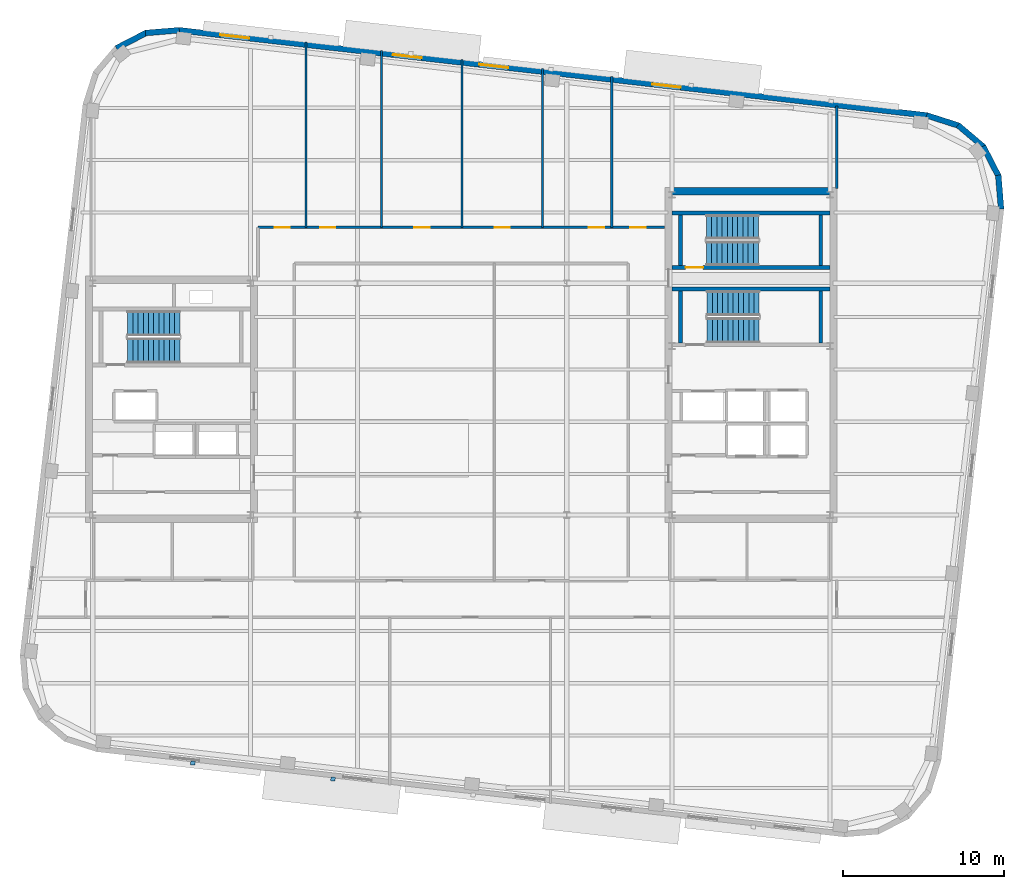
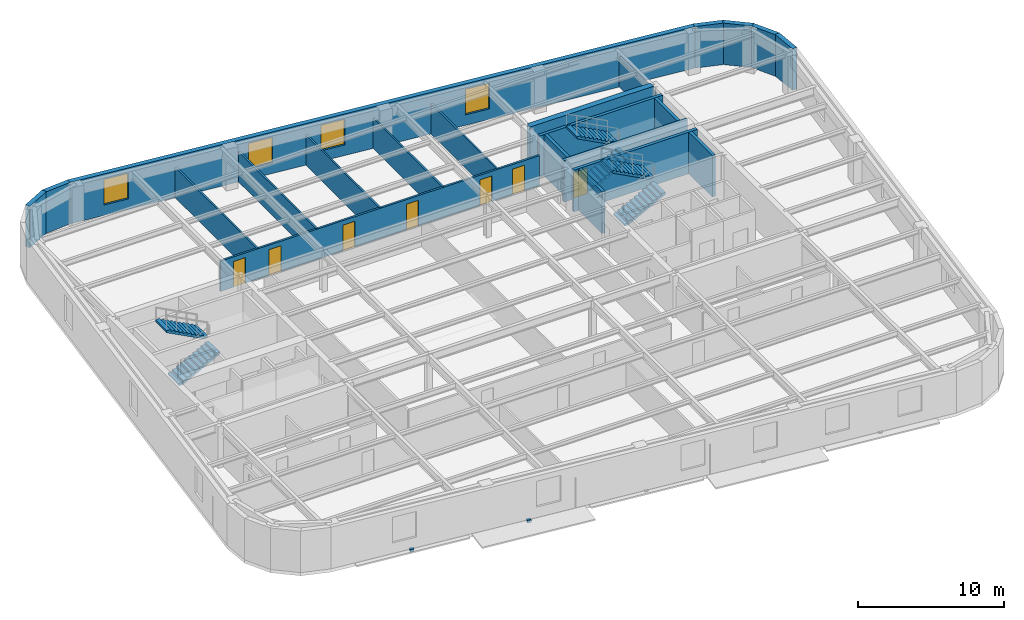
# One storey, part 8 of 13: 22 walls, 7 doors, 6 stair flights, 4 windows, 2 discrete accessories, 11 openings, 3 elements without a shape of their own.
"""IFC4 building model written with IfcOpenShell, lengths in metres."""

from ifc_helpers import new_model, si_unit, direction, frame, frame_2d, origin, origin_2d, place, context, subcontext, project, spatial, polyline, rectangle, outline, extrude, material, layer, layer_set, type_object, element, fill, aggregate, save


model = new_model("IFC4")

# Units and contexts
model_context = context("Model", 3, precision=1e-05, world=origin(), true_north=direction((0.0, 1.0)))
body_context = subcontext(model_context, "Body", "Model", "MODEL_VIEW")
ifc_project = project(units=[si_unit("LENGTHUNIT", "METRE"), si_unit("AREAUNIT", "SQUARE_METRE"), si_unit("VOLUMEUNIT", "CUBIC_METRE"), si_unit("PLANEANGLEUNIT", "RADIAN"), si_unit("MASSUNIT", "GRAM", prefix="KILO")], contexts=[model_context])

# Site, building, storey
site_placement = place(None, origin())
site = spatial("IfcSite", under=ifc_project, at=site_placement, CompositionType="ELEMENT")
building_placement = place(site_placement, origin())
building = spatial("IfcBuilding", under=site, at=building_placement, Name="Kolvaren Arena Tower", CompositionType="ELEMENT")
storey_placement = place(building_placement, frame((0.0, 0.0, 239.699951171875)))
storey = spatial("IfcBuildingStorey", under=building, at=storey_placement, Name="L58", CompositionType="ELEMENT", Elevation=239.699951171875)

# Wall, openings, doors
ifc_material_1 = material(Name="Gypsum board acoustic assembly", Category="gypsum")
ifc_layer_1 = layer(ifc_material_1, 0.159912109375)
ifc_layer_set_1 = layer_set([ifc_layer_1], Name="Gypsum board acoustic assembly")
wall_type_1 = type_object("IfcWallType", Name="CORR-160", PredefinedType="PARTITIONING", material=ifc_layer_set_1)
wall_1_placement = place(storey_placement, frame((24.820068359375, 37.320068359375, 0.0), z_axis=(0.0, 0.0, 1.0), x_axis=(1.0, 0.0, 0.0)))
wall_1 = element("IfcWall", 1, at=wall_1_placement, inside=storey, type_object=wall_type_1, Name="Interior Partition Wall (L58)", PredefinedType="PARTITIONING", context=body_context, shape_type="SweptSolid", body=[
    extrude(rectangle(XDim=25.260009765625, YDim=0.159912109375, at=frame_2d((12.6298828125, 0.0))), origin(), (0.0, 0.0, 1.0), 2.5400390625),
])
opening_1_placement = place(wall_1_placement, frame((1.030029296875, 0.0, 0.0)))
opening_1 = element("IfcOpeningElement", 2, at=opening_1_placement, cuts=wall_1, Name="Opening D05", PredefinedType="OPENING", context=body_context, shape_type="SweptSolid", body=[
    extrude(rectangle(XDim=0.949951171875, YDim=2.14990234375, at=frame_2d((0.47509765625, 1.074951171875))), frame((0.0, 0.08984375, 0.0), z_axis=(0.0, -1.0, 0.0), x_axis=(1.0, 0.0, 0.0)), (0.0, 0.0, 1.0), 0.179931640625),
])
opening_2_placement = place(wall_1_placement, frame((3.85498046875, 0.0, 0.0)))
opening_2 = element("IfcOpeningElement", 3, at=opening_2_placement, cuts=wall_1, Name="Opening D05", PredefinedType="OPENING", context=body_context, shape_type="SweptSolid", body=[
    extrude(rectangle(XDim=0.949951171875, YDim=2.14990234375, at=frame_2d((0.47509765625, 1.074951171875))), frame((0.0, 0.08984375, 0.0), z_axis=(0.0, -1.0, 0.0), x_axis=(1.0, 0.0, 0.0)), (0.0, 0.0, 1.0), 0.179931640625),
])
opening_3_placement = place(wall_1_placement, frame((9.705078125, 0.0, 0.0)))
opening_3 = element("IfcOpeningElement", 4, at=opening_3_placement, cuts=wall_1, Name="Opening D05", PredefinedType="OPENING", context=body_context, shape_type="SweptSolid", body=[
    extrude(rectangle(XDim=0.949951171875, YDim=2.14990234375, at=frame_2d((0.47509765625, 1.074951171875))), frame((0.0, 0.08984375, 0.0), z_axis=(0.0, -1.0, 0.0), x_axis=(1.0, 0.0, 0.0)), (0.0, 0.0, 1.0), 0.179931640625),
])
opening_4_placement = place(wall_1_placement, frame((14.705078125, 0.0, 0.0)))
opening_4 = element("IfcOpeningElement", 5, at=opening_4_placement, cuts=wall_1, Name="Opening D05", PredefinedType="OPENING", context=body_context, shape_type="SweptSolid", body=[
    extrude(rectangle(XDim=0.949951171875, YDim=2.14990234375, at=frame_2d((0.47509765625, 1.074951171875))), frame((0.0, 0.08984375, 0.0), z_axis=(0.0, -1.0, 0.0), x_axis=(1.0, 0.0, 0.0)), (0.0, 0.0, 1.0), 0.179931640625),
])
opening_5_placement = place(wall_1_placement, frame((20.554931640625, 0.0, 0.0)))
opening_5 = element("IfcOpeningElement", 6, at=opening_5_placement, cuts=wall_1, Name="Opening D05", PredefinedType="OPENING", context=body_context, shape_type="SweptSolid", body=[
    extrude(rectangle(XDim=0.949951171875, YDim=2.14990234375, at=frame_2d((0.47509765625, 1.074951171875))), frame((0.0, 0.08984375, 0.0), z_axis=(0.0, -1.0, 0.0), x_axis=(1.0, 0.0, 0.0)), (0.0, 0.0, 1.0), 0.179931640625),
])
opening_6_placement = place(wall_1_placement, frame((23.1298828125, 0.0, 0.0)))
opening_6 = element("IfcOpeningElement", 7, at=opening_6_placement, cuts=wall_1, Name="Opening D05", PredefinedType="OPENING", context=body_context, shape_type="SweptSolid", body=[
    extrude(rectangle(XDim=0.949951171875, YDim=2.14990234375, at=frame_2d((0.47509765625, 1.074951171875))), frame((0.0, 0.08984375, 0.0), z_axis=(0.0, -1.0, 0.0), x_axis=(1.0, 0.0, 0.0)), (0.0, 0.0, 1.0), 0.179931640625),
])
ifc_material_2 = material(Name="Solid-core oak acoustic office door", Category="wood")
door_type_1 = type_object("IfcDoorType", Name="DOOR-OF-095", OperationType="NOTDEFINED", PredefinedType="DOOR", material=ifc_material_2)
door_1_placement = place(opening_1_placement, origin())
door_1 = element("IfcDoor", 8, at=door_1_placement, inside=storey, type_object=door_type_1, Name="Technical Engineering Office Door (L58)", OperationType="SINGLE_SWING_LEFT", OverallHeight=2.14990234375, OverallWidth=0.949951171875, PredefinedType="DOOR", context=body_context, shape_type="SweptSolid", body=[
    extrude(rectangle(XDim=0.949951171875, YDim=2.14990234375, at=frame_2d((0.47509765625, 1.074951171875))), frame((0.0, 0.02490234375, 0.0), z_axis=(0.0, -1.0, 0.0), x_axis=(1.0, 0.0, 0.0)), (0.0, 0.0, 1.0), 0.050048828125),
])
fill(opening_1, door_1)
door_2_placement = place(opening_2_placement, origin())
door_2 = element("IfcDoor", 9, at=door_2_placement, inside=storey, type_object=door_type_1, Name="Boardroom Door (L58)", OperationType="SINGLE_SWING_RIGHT", OverallHeight=2.14990234375, OverallWidth=0.949951171875, PredefinedType="DOOR", context=body_context, shape_type="SweptSolid", body=[
    extrude(rectangle(XDim=0.949951171875, YDim=2.14990234375, at=frame_2d((0.47509765625, 1.074951171875))), frame((0.0, 0.02490234375, 0.0), z_axis=(0.0, -1.0, 0.0), x_axis=(1.0, 0.0, 0.0)), (0.0, 0.0, 1.0), 0.050048828125),
])
fill(opening_2, door_2)
door_3_placement = place(opening_3_placement, origin())
door_3 = element("IfcDoor", 10, at=door_3_placement, inside=storey, type_object=door_type_1, Name="Breakout Pantry and Kitchen Door (L58)", OperationType="SINGLE_SWING_LEFT", OverallHeight=2.14990234375, OverallWidth=0.949951171875, PredefinedType="DOOR", context=body_context, shape_type="SweptSolid", body=[
    extrude(rectangle(XDim=0.949951171875, YDim=2.14990234375, at=frame_2d((0.47509765625, 1.074951171875))), frame((0.0, 0.02490234375, 0.0), z_axis=(0.0, -1.0, 0.0), x_axis=(1.0, 0.0, 0.0)), (0.0, 0.0, 1.0), 0.050048828125),
])
fill(opening_3, door_3)
door_4_placement = place(opening_4_placement, origin())
door_4 = element("IfcDoor", 11, at=door_4_placement, inside=storey, type_object=door_type_1, Name="Executive Office Door (L58)", OperationType="SINGLE_SWING_RIGHT", OverallHeight=2.14990234375, OverallWidth=0.949951171875, PredefinedType="DOOR", context=body_context, shape_type="SweptSolid", body=[
    extrude(rectangle(XDim=0.949951171875, YDim=2.14990234375, at=frame_2d((0.47509765625, 1.074951171875))), frame((0.0, 0.02490234375, 0.0), z_axis=(0.0, -1.0, 0.0), x_axis=(1.0, 0.0, 0.0)), (0.0, 0.0, 1.0), 0.050048828125),
])
fill(opening_4, door_4)
door_5_placement = place(opening_5_placement, origin())
door_5 = element("IfcDoor", 12, at=door_5_placement, inside=storey, type_object=door_type_1, Name="Client Lounge Door (L58)", OperationType="SINGLE_SWING_LEFT", OverallHeight=2.14990234375, OverallWidth=0.949951171875, PredefinedType="DOOR", context=body_context, shape_type="SweptSolid", body=[
    extrude(rectangle(XDim=0.949951171875, YDim=2.14990234375, at=frame_2d((0.47509765625, 1.074951171875))), frame((0.0, 0.02490234375, 0.0), z_axis=(0.0, -1.0, 0.0), x_axis=(1.0, 0.0, 0.0)), (0.0, 0.0, 1.0), 0.050048828125),
])
fill(opening_5, door_5)
door_6_placement = place(opening_6_placement, origin())
door_6 = element("IfcDoor", 13, at=door_6_placement, inside=storey, type_object=door_type_1, Name="Executive Office Door (L58)", OperationType="SINGLE_SWING_RIGHT", OverallHeight=2.14990234375, OverallWidth=0.949951171875, PredefinedType="DOOR", context=body_context, shape_type="SweptSolid", body=[
    extrude(rectangle(XDim=0.949951171875, YDim=2.14990234375, at=frame_2d((0.47509765625, 1.074951171875))), frame((0.0, 0.02490234375, 0.0), z_axis=(0.0, -1.0, 0.0), x_axis=(1.0, 0.0, 0.0)), (0.0, 0.0, 1.0), 0.050048828125),
])
fill(opening_6, door_6)

# Walls
ifc_material_3 = material(Name="Concrete 55 MPa", Category="concrete")
ifc_layer_2 = layer(ifc_material_3, 0.449951171875)
ifc_layer_set_2 = layer_set([ifc_layer_2], Name="Concrete 55 MPa")
wall_type_2 = type_object("IfcWallType", Name="CWALL-450", PredefinedType="SHEAR", material=ifc_layer_set_2)
wall_2_placement = place(storey_placement, frame((50.550048828125, 39.574951171875, -0.27001953125), z_axis=(0.0, 0.0, 1.0), x_axis=(1.0, 0.0, 0.0)))
element("IfcWall", 14, at=wall_2_placement, inside=storey, type_object=wall_type_2, Name="Core Shear Wall EC-NORTH (L58)", PredefinedType="SHEAR", context=body_context, shape_type="SweptSolid", body=[
    extrude(rectangle(XDim=9.800048828125, YDim=0.449951171875, at=frame_2d((4.89990234375, 0.0))), origin(), (0.0, 0.0, 1.0), 3.75),
])
ifc_material_4 = material(Name="Precast concrete C50/60", Category="concrete")
ifc_layer_3 = layer(ifc_material_4, 0.360107421875)
ifc_layer_set_3 = layer_set([ifc_layer_3], Name="Precast concrete C50/60")
wall_type_3 = type_object("IfcWallType", Name="EXT-PIER2", PredefinedType="SOLIDWALL", material=ifc_layer_set_3)
wall_3_placement = place(storey_placement, frame((70.813720703125, 40.563720703125, 0.0), z_axis=(0.0, 0.0, 1.0), x_axis=(0.082853678144, -0.996561723135, 0.0)))
element("IfcWall", 15, at=wall_3_placement, inside=storey, type_object=wall_type_3, Name="Exterior Precast Masonry-Frame Wall (L58)", PredefinedType="SOLIDWALL", context=body_context, shape_type="SweptSolid", body=[
    extrude(rectangle(XDim=2.10693359375, YDim=0.360107421875, at=frame_2d((1.053466796875, 0.0))), origin(), (0.0, 0.0, 1.0), 3.47998046875),
])
for number, where, z_axis, x_axis, name in (
    (16, (69.868408203125, 42.369384765625, 0.0), (0.0, 0.0, 1.0), (0.457887222333, -0.889010287693, 0.0), "Exterior Precast Masonry-Frame Wall (L58)"),
    (17, (68.303955078125, 43.67578125, 0.0), (0.0, 0.0, 1.0), (0.763192878975, -0.646170743289, 0.0), "Exterior Precast Masonry-Frame Wall (L58)"),
    (18, (66.358642578125, 44.283935546875, 0.0), (0.0, 0.0, 1.0), (0.952403965565, -0.304838787518, 0.0), "Exterior Precast Masonry-Frame Wall (L58)"),
):
    element("IfcWall", number, at=place(storey_placement, frame(where, z_axis=z_axis, x_axis=x_axis)), inside=storey, type_object=wall_type_3, Name=name, PredefinedType="SOLIDWALL", context=body_context, shape_type="SweptSolid", body=[
        extrude(rectangle(XDim=2.107177734375, YDim=0.360107421875, at=frame_2d((1.0537109375, 0.0))), origin(), (0.0, 0.0, 1.0), 3.47998046875),
    ])

# Wall, openings, windows
wall_4_placement = place(storey_placement, frame((19.89404296875, 49.57470703125, 0.0), z_axis=(0.0, 0.0, 1.0), x_axis=(0.993571439016, -0.113206870688, 0.0)))
wall_4 = element("IfcWall", 19, at=wall_4_placement, inside=storey, type_object=wall_type_3, Name="Exterior Precast Masonry-Frame Wall (L58)", PredefinedType="SOLIDWALL", context=body_context, shape_type="SweptSolid", body=[
    extrude(rectangle(XDim=46.800048828125, YDim=0.360107421875, at=frame_2d((23.39990234375, 0.0))), origin(), (0.0, 0.0, 1.0), 3.47998046875),
])
opening_7_placement = place(wall_4_placement, frame((2.60009765625, 0.0, 0.8798828125)))
opening_7 = element("IfcOpeningElement", 20, at=opening_7_placement, cuts=wall_4, Name="Opening W02", PredefinedType="OPENING", context=body_context, shape_type="SweptSolid", body=[
    extrude(rectangle(XDim=1.800048828125, YDim=2.14990234375, at=frame_2d((0.89990234375, 1.074951171875))), frame((0.0, 0.18994140625, 0.0), z_axis=(0.0, -1.0, 0.0), x_axis=(1.0, 0.0, 0.0)), (0.0, 0.0, 1.0), 0.380126953125),
])
opening_8_placement = place(wall_4_placement, frame((13.39990234375, 0.0, 0.8798828125)))
opening_8 = element("IfcOpeningElement", 21, at=opening_8_placement, cuts=wall_4, Name="Opening W02", PredefinedType="OPENING", context=body_context, shape_type="SweptSolid", body=[
    extrude(rectangle(XDim=1.800048828125, YDim=2.14990234375, at=frame_2d((0.89990234375, 1.074951171875))), frame((0.0, 0.18994140625, 0.0), z_axis=(0.0, -1.0, 0.0), x_axis=(1.0, 0.0, 0.0)), (0.0, 0.0, 1.0), 0.380126953125),
])
opening_9_placement = place(wall_4_placement, frame((18.800048828125, 0.0, 0.8798828125)))
opening_9 = element("IfcOpeningElement", 22, at=opening_9_placement, cuts=wall_4, Name="Opening W02", PredefinedType="OPENING", context=body_context, shape_type="SweptSolid", body=[
    extrude(rectangle(XDim=1.800048828125, YDim=2.14990234375, at=frame_2d((0.89990234375, 1.074951171875))), frame((0.0, 0.18994140625, 0.0), z_axis=(0.0, -1.0, 0.0), x_axis=(1.0, 0.0, 0.0)), (0.0, 0.0, 1.0), 0.380126953125),
])
opening_10_placement = place(wall_4_placement, frame((29.60009765625, 0.0, 0.8798828125)))
opening_10 = element("IfcOpeningElement", 23, at=opening_10_placement, cuts=wall_4, Name="Opening W02", PredefinedType="OPENING", context=body_context, shape_type="SweptSolid", body=[
    extrude(rectangle(XDim=1.800048828125, YDim=2.14990234375, at=frame_2d((0.89990234375, 1.074951171875))), frame((0.0, 0.18994140625, 0.0), z_axis=(0.0, -1.0, 0.0), x_axis=(1.0, 0.0, 0.0)), (0.0, 0.0, 1.0), 0.380126953125),
])
ifc_material_5 = material(Name="Triple-glazed low-E aluminium window", Category="aluminium")
window_type = type_object("IfcWindowType", Name="WIN-OFF-B", PartitioningType="DOUBLE_PANEL_VERTICAL", PredefinedType="WINDOW", material=ifc_material_5)
window_1_placement = place(opening_7_placement, origin())
window_1 = element("IfcWindow", 24, at=window_1_placement, inside=storey, type_object=window_type, Name="Punched Precast-Pier Window (L58)", OverallHeight=2.14990234375, OverallWidth=1.800048828125, PartitioningType="DOUBLE_PANEL_VERTICAL", PredefinedType="WINDOW", context=body_context, shape_type="SweptSolid", body=[
    extrude(rectangle(XDim=1.800048828125, YDim=2.14990234375, at=frame_2d((0.89990234375, 1.074951171875))), frame((0.0, 0.030029296875, 0.0), z_axis=(0.0, -1.0, 0.0), x_axis=(1.0, 0.0, 0.0)), (0.0, 0.0, 1.0), 0.06005859375),
])
fill(opening_7, window_1)
window_2_placement = place(opening_8_placement, origin())
window_2 = element("IfcWindow", 25, at=window_2_placement, inside=storey, type_object=window_type, Name="Punched Precast-Pier Window (L58)", OverallHeight=2.14990234375, OverallWidth=1.800048828125, PartitioningType="DOUBLE_PANEL_VERTICAL", PredefinedType="WINDOW", context=body_context, shape_type="SweptSolid", body=[
    extrude(rectangle(XDim=1.800048828125, YDim=2.14990234375, at=frame_2d((0.89990234375, 1.074951171875))), frame((0.0, 0.030029296875, 0.0), z_axis=(0.0, -1.0, 0.0), x_axis=(1.0, 0.0, 0.0)), (0.0, 0.0, 1.0), 0.06005859375),
])
fill(opening_8, window_2)
window_3_placement = place(opening_9_placement, origin())
window_3 = element("IfcWindow", 26, at=window_3_placement, inside=storey, type_object=window_type, Name="Punched Precast-Pier Window (L58)", OverallHeight=2.14990234375, OverallWidth=1.800048828125, PartitioningType="DOUBLE_PANEL_VERTICAL", PredefinedType="WINDOW", context=body_context, shape_type="SweptSolid", body=[
    extrude(rectangle(XDim=1.800048828125, YDim=2.14990234375, at=frame_2d((0.89990234375, 1.074951171875))), frame((0.0, 0.030029296875, 0.0), z_axis=(0.0, -1.0, 0.0), x_axis=(1.0, 0.0, 0.0)), (0.0, 0.0, 1.0), 0.06005859375),
])
fill(opening_9, window_3)
window_4_placement = place(opening_10_placement, origin())
window_4 = element("IfcWindow", 27, at=window_4_placement, inside=storey, type_object=window_type, Name="Punched Precast-Pier Window (L58)", OverallHeight=2.14990234375, OverallWidth=1.800048828125, PartitioningType="DOUBLE_PANEL_VERTICAL", PredefinedType="WINDOW", context=body_context, shape_type="SweptSolid", body=[
    extrude(rectangle(XDim=1.800048828125, YDim=2.14990234375, at=frame_2d((0.89990234375, 1.074951171875))), frame((0.0, 0.030029296875, 0.0), z_axis=(0.0, -1.0, 0.0), x_axis=(1.0, 0.0, 0.0)), (0.0, 0.0, 1.0), 0.06005859375),
])
fill(opening_10, window_4)

# Walls
for number, where, z_axis, x_axis, name in (
    (28, (17.82958984375, 49.3994140625, 0.0), (0.0, 0.0, 1.0), (0.996562518477, 0.082844111233, 0.0), "Exterior Precast Masonry-Frame Wall (L58)"),
    (29, (16.02392578125, 48.4541015625, 0.0), (0.0, 0.0, 1.0), (0.889010287693, 0.457887222333, 0.0), "Exterior Precast Masonry-Frame Wall (L58)"),
):
    element("IfcWall", number, at=place(storey_placement, frame(where, z_axis=z_axis, x_axis=x_axis)), inside=storey, type_object=wall_type_3, Name=name, PredefinedType="SOLIDWALL", context=body_context, shape_type="SweptSolid", body=[
        extrude(rectangle(XDim=2.107177734375, YDim=0.360107421875, at=frame_2d((1.0537109375, 0.0))), origin(), (0.0, 0.0, 1.0), 3.47998046875),
    ])
ifc_material_6 = material(Name="Gypsum board partition assembly", Category="gypsum")
ifc_layer_4 = layer(ifc_material_6, 0.135009765625)
ifc_layer_set_4 = layer_set([ifc_layer_4], Name="Gypsum board partition assembly")
wall_type_4 = type_object("IfcWallType", Name="PART-135", PredefinedType="PARTITIONING", material=ifc_layer_set_4)
wall_5_placement = place(storey_placement, frame((27.800048828125, 37.320068359375, 0.0), z_axis=(0.0, 0.0, 1.0), x_axis=(0.0, 1.0, 0.0)))
element("IfcWall", 30, at=wall_5_placement, inside=storey, type_object=wall_type_4, Name="Interior Partition Wall (L58)", PredefinedType="PARTITIONING", context=body_context, shape_type="SweptSolid", body=[
    extrude(rectangle(XDim=11.534912109375, YDim=0.135009765625, at=frame_2d((5.767578125, 0.0))), origin(), (0.0, 0.0, 1.0), 2.5400390625),
])
wall_6_placement = place(storey_placement, frame((32.5, 37.320068359375, 0.0), z_axis=(0.0, 0.0, 1.0), x_axis=(0.0, 1.0, 0.0)))
element("IfcWall", 31, at=wall_6_placement, inside=storey, type_object=wall_type_4, Name="Interior Partition Wall (L58)", PredefinedType="PARTITIONING", context=body_context, shape_type="SweptSolid", body=[
    extrude(rectangle(XDim=10.999267578125, YDim=0.135009765625, at=frame_2d((5.49951171875, 0.0))), origin(), (0.0, 0.0, 1.0), 2.5400390625),
])
wall_7_placement = place(storey_placement, frame((37.5, 37.320068359375, 0.0), z_axis=(0.0, 0.0, 1.0), x_axis=(0.0, 1.0, 0.0)))
element("IfcWall", 32, at=wall_7_placement, inside=storey, type_object=wall_type_4, Name="Interior Partition Wall (L58)", PredefinedType="PARTITIONING", context=body_context, shape_type="SweptSolid", body=[
    extrude(rectangle(XDim=10.4296875, YDim=0.135009765625, at=frame_2d((5.21484375, 0.0))), origin(), (0.0, 0.0, 1.0), 2.5400390625),
])
wall_8_placement = place(storey_placement, frame((42.5, 37.320068359375, 0.0), z_axis=(0.0, 0.0, 1.0), x_axis=(0.0, 1.0, 0.0)))
element("IfcWall", 33, at=wall_8_placement, inside=storey, type_object=wall_type_4, Name="Interior Partition Wall (L58)", PredefinedType="PARTITIONING", context=body_context, shape_type="SweptSolid", body=[
    extrude(rectangle(XDim=9.860107421875, YDim=0.135009765625, at=frame_2d((4.93017578125, 0.0))), origin(), (0.0, 0.0, 1.0), 2.5400390625),
])
wall_9_placement = place(storey_placement, frame((46.800048828125, 37.320068359375, 0.0), z_axis=(0.0, 0.0, 1.0), x_axis=(0.0, 1.0, 0.0)))
element("IfcWall", 34, at=wall_9_placement, inside=storey, type_object=wall_type_4, Name="Interior Partition Wall (L58)", PredefinedType="PARTITIONING", context=body_context, shape_type="SweptSolid", body=[
    extrude(rectangle(XDim=9.3701171875, YDim=0.135009765625, at=frame_2d((4.68505859375, 0.0))), origin(), (0.0, 0.0, 1.0), 2.5400390625),
])
wall_10_placement = place(storey_placement, frame((60.780029296875, 39.75, 0.0), z_axis=(0.0, 0.0, 1.0), x_axis=(0.0, 1.0, 0.0)))
element("IfcWall", 35, at=wall_10_placement, inside=storey, type_object=wall_type_4, Name="Interior Partition Wall (L58)", PredefinedType="PARTITIONING", context=body_context, shape_type="SweptSolid", body=[
    extrude(rectangle(XDim=5.105712890625, YDim=0.135009765625, at=frame_2d((2.552734375, 0.0))), origin(), (0.0, 0.0, 1.0), 2.5400390625),
])
ifc_material_7 = material(Name="Concrete 45 MPa", Category="concrete")
ifc_layer_5 = layer(ifc_material_7, 0.25)
ifc_layer_set_5 = layer_set([ifc_layer_5], Name="Concrete 45 MPa")
wall_type_5 = type_object("IfcWallType", Name="SHAFT-250", PredefinedType="SOLIDWALL", material=ifc_layer_set_5)
wall_11_placement = place(storey_placement, frame((50.550048828125, 33.5, 0.0), z_axis=(0.0, 0.0, 1.0), x_axis=(1.0, 0.0, 0.0)))
element("IfcWall", 36, at=wall_11_placement, inside=storey, type_object=wall_type_5, Name="Core Shaft Wall (L58)", PredefinedType="SOLIDWALL", context=body_context, shape_type="SweptSolid", body=[
    extrude(rectangle(XDim=9.800048828125, YDim=0.239990234375, at=frame_2d((4.89990234375, 0.0))), origin(), (0.0, 0.0, 1.0), 3.47998046875),
])
for number, where, z_axis, x_axis, name in (
    (37, (51.06005859375, 30.14990234375, 0.0), (0.0, 0.0, 1.0), (0.0, 1.0, 0.0), "Core Shaft Wall (L58)"),
    (38, (59.780029296875, 30.14990234375, 0.0), (0.0, 0.0, 1.0), (0.0, 1.0, 0.0), "Core Shaft Wall (L58)"),
):
    element("IfcWall", number, at=place(storey_placement, frame(where, z_axis=z_axis, x_axis=x_axis)), inside=storey, type_object=wall_type_5, Name=name, PredefinedType="SOLIDWALL", context=body_context, shape_type="SweptSolid", body=[
        extrude(rectangle(XDim=3.22998046875, YDim=0.239990234375, at=frame_2d((1.614990234375, 0.0))), origin(), (0.0, 0.0, 1.0), 3.47998046875),
    ])

# Wall, opening, door
wall_12_placement = place(storey_placement, frame((60.35009765625, 34.830078125, 0.0), z_axis=(0.0, 0.0, 1.0), x_axis=(-1.0, 0.0, 0.0)))
wall_12 = element("IfcWall", 39, at=wall_12_placement, inside=storey, type_object=wall_type_5, Name="Core Shaft Wall (L58)", PredefinedType="SOLIDWALL", context=body_context, shape_type="SweptSolid", body=[
    extrude(rectangle(XDim=9.800048828125, YDim=0.239990234375, at=frame_2d((4.89990234375, 0.0))), origin(), (0.0, 0.0, 1.0), 3.47998046875),
])
opening_11_placement = place(wall_12_placement, frame((7.8701171875, 0.0, 0.0)))
opening_11 = element("IfcOpeningElement", 40, at=opening_11_placement, cuts=wall_12, Name="Opening D03", PredefinedType="OPENING", context=body_context, shape_type="SweptSolid", body=[
    extrude(rectangle(XDim=1.10009765625, YDim=2.14990234375, at=frame_2d((0.550048828125, 1.074951171875))), frame((0.0, 0.1298828125, 0.0), z_axis=(0.0, -1.0, 0.0), x_axis=(1.0, 0.0, 0.0)), (0.0, 0.0, 1.0), 0.260009765625),
])
ifc_material_8 = material(Name="Fire-rated steel exit stair door", Category="steel")
door_type_2 = type_object("IfcDoorType", Name="DOOR-ST-110", OperationType="NOTDEFINED", PredefinedType="DOOR", material=ifc_material_8)
door_7_placement = place(opening_11_placement, origin())
door_7 = element("IfcDoor", 41, at=door_7_placement, inside=storey, type_object=door_type_2, Name="Stair ST-E2 Fire Door (L58)", OperationType="SINGLE_SWING_LEFT", OverallHeight=2.14990234375, OverallWidth=1.10009765625, PredefinedType="DOOR", context=body_context, shape_type="SweptSolid", body=[
    extrude(rectangle(XDim=1.10009765625, YDim=2.14990234375, at=frame_2d((0.550048828125, 1.074951171875))), frame((0.0, 0.02490234375, 0.0), z_axis=(0.0, -1.0, 0.0), x_axis=(1.0, 0.0, 0.0)), (0.0, 0.0, 1.0), 0.050048828125),
])
fill(opening_11, door_7)

# Walls
wall_13_placement = place(storey_placement, frame((50.550048828125, 38.219970703125, 0.0), z_axis=(0.0, 0.0, 1.0), x_axis=(1.0, 0.0, 0.0)))
element("IfcWall", 42, at=wall_13_placement, inside=storey, type_object=wall_type_5, Name="Core Shaft Wall (L58)", PredefinedType="SOLIDWALL", context=body_context, shape_type="SweptSolid", body=[
    extrude(rectangle(XDim=9.800048828125, YDim=0.239990234375, at=frame_2d((4.89990234375, 0.0))), origin(), (0.0, 0.0, 1.0), 3.47998046875),
])
for number, where, z_axis, x_axis, name in (
    (43, (51.06005859375, 34.949951171875, 0.0), (0.0, 0.0, 1.0), (0.0, 1.0, 0.0), "Core Shaft Wall (L58)"),
    (44, (59.780029296875, 34.949951171875, 0.0), (0.0, 0.0, 1.0), (0.0, 1.0, 0.0), "Core Shaft Wall (L58)"),
):
    element("IfcWall", number, at=place(storey_placement, frame(where, z_axis=z_axis, x_axis=x_axis)), inside=storey, type_object=wall_type_5, Name=name, PredefinedType="SOLIDWALL", context=body_context, shape_type="SweptSolid", body=[
        extrude(rectangle(XDim=3.150146484375, YDim=0.239990234375, at=frame_2d((1.5751953125, 0.0))), origin(), (0.0, 0.0, 1.0), 3.47998046875),
    ])

# Stair, stair flights
stair_type_1 = type_object("IfcStairType", Name="STAIR-CORE-150", PredefinedType="HALF_TURN_STAIR", material=ifc_material_7)
stair_1_placement = place(storey_placement, origin())
stair_1 = element("IfcStair", 45, at=stair_1_placement, inside=storey, type_object=stair_type_1, Name="L58 ST-E2", PredefinedType="HALF_TURN_STAIR")
stair_flight_type_1 = type_object("IfcStairFlightType", Name="FLT-150", PredefinedType="STRAIGHT", material=ifc_material_7)
stair_flight_1_placement = place(storey_placement, frame((52.679931640625, 35.699951171875, 0.0), z_axis=(0.0, 0.0, 1.0), x_axis=(1.0, 0.0, 0.0)))
stair_flight_1 = element("IfcStairFlight", 46, at=stair_flight_1_placement, type_object=stair_flight_type_1, Name="ST-E2 flight 1", NumberOfRisers=11, NumberOfTreads=10, PredefinedType="STRAIGHT", RiserHeight=0.170454545, TreadLength=0.324, context=body_context, shape_type="SweptSolid", body=[
    extrude(outline(polyline([(0.0, 0.0), (0.0, 0.17041015625), (0.323974609375, 0.17041015625), (0.323974609375, 0.3408203125), (0.64794921875, 0.3408203125), (0.64794921875, 0.511474609375), (0.971923828125, 0.511474609375), (0.971923828125, 0.681884765625), (1.2958984375, 0.681884765625), (1.2958984375, 0.852294921875), (1.6201171875, 0.852294921875), (1.6201171875, 1.022705078125), (1.944091796875, 1.022705078125), (1.944091796875, 1.193115234375), (2.26806640625, 1.193115234375), (2.26806640625, 1.363525390625), (2.592041015625, 1.363525390625), (2.592041015625, 1.5341796875), (2.916015625, 1.5341796875), (2.916015625, 1.70458984375), (3.239990234375, 1.70458984375), (3.239990234375, 1.875), (3.239990234375, 1.53515625), (0.322021484375, 0.0), (0.0, 0.0)])), frame((0.0, 0.75, 0.0), z_axis=(0.0, -1.0, 0.0), x_axis=(1.0, 0.0, 0.0)), (0.0, 0.0, 1.0), 1.5),
])
stair_flight_2_placement = place(storey_placement, frame((55.919921875, 37.35009765625, 1.875), z_axis=(0.0, 0.0, 1.0), x_axis=(-1.0, 0.0, 0.0)))
stair_flight_2 = element("IfcStairFlight", 47, at=stair_flight_2_placement, type_object=stair_flight_type_1, Name="ST-E2 flight 2", NumberOfRisers=11, NumberOfTreads=10, PredefinedType="STRAIGHT", RiserHeight=0.170454545, TreadLength=0.324, context=body_context, shape_type="SweptSolid", body=[
    extrude(outline(polyline([(0.0, 0.0), (0.0, 0.17041015625), (0.323974609375, 0.17041015625), (0.323974609375, 0.3408203125), (0.64794921875, 0.3408203125), (0.64794921875, 0.511474609375), (0.971923828125, 0.511474609375), (0.971923828125, 0.681884765625), (1.2958984375, 0.681884765625), (1.2958984375, 0.852294921875), (1.6201171875, 0.852294921875), (1.6201171875, 1.022705078125), (1.944091796875, 1.022705078125), (1.944091796875, 1.193115234375), (2.26806640625, 1.193115234375), (2.26806640625, 1.363525390625), (2.592041015625, 1.363525390625), (2.592041015625, 1.5341796875), (2.916015625, 1.5341796875), (2.916015625, 1.70458984375), (3.239990234375, 1.70458984375), (3.239990234375, 1.875), (3.239990234375, 1.53515625), (0.322021484375, 0.0), (0.0, 0.0)])), frame((0.0, 0.75, 0.0), z_axis=(0.0, -1.0, 0.0), x_axis=(1.0, 0.0, 0.0)), (0.0, 0.0, 1.0), 1.5),
])
aggregate(stair_1, [stair_flight_1, stair_flight_2])

stair_type_2 = type_object("IfcStairType", Name="STAIR-CORE-165", PredefinedType="HALF_TURN_STAIR", material=ifc_material_7)
stair_2_placement = place(storey_placement, origin())
stair_2 = element("IfcStair", 48, at=stair_2_placement, inside=storey, type_object=stair_type_2, Name="L58 ST-W1", PredefinedType="HALF_TURN_STAIR")
stair_flight_type_2 = type_object("IfcStairFlightType", Name="FLT-165", PredefinedType="STRAIGHT", material=ifc_material_7)
stair_flight_3_placement = place(storey_placement, frame((16.719970703125, 29.669921875, 0.0), z_axis=(0.0, 0.0, 1.0), x_axis=(1.0, 0.0, 0.0)))
stair_flight_3 = element("IfcStairFlight", 49, at=stair_flight_3_placement, type_object=stair_flight_type_2, Name="ST-W1 flight 1", NumberOfRisers=11, NumberOfTreads=10, PredefinedType="STRAIGHT", RiserHeight=0.170454545, TreadLength=0.324, context=body_context, shape_type="SweptSolid", body=[
    extrude(outline(polyline([(0.0, 0.0), (0.0, 0.17041015625), (0.323974609375, 0.17041015625), (0.323974609375, 0.3408203125), (0.64794921875, 0.3408203125), (0.64794921875, 0.511474609375), (0.971923828125, 0.511474609375), (0.971923828125, 0.681884765625), (1.2958984375, 0.681884765625), (1.2958984375, 0.852294921875), (1.6201171875, 0.852294921875), (1.6201171875, 1.022705078125), (1.944091796875, 1.022705078125), (1.944091796875, 1.193115234375), (2.26806640625, 1.193115234375), (2.26806640625, 1.363525390625), (2.592041015625, 1.363525390625), (2.592041015625, 1.5341796875), (2.916015625, 1.5341796875), (2.916015625, 1.70458984375), (3.239990234375, 1.70458984375), (3.239990234375, 1.875), (3.239990234375, 1.53515625), (0.322021484375, 0.0), (0.0, 0.0)])), frame((0.0, 0.77001953125, 0.0), z_axis=(0.0, -1.0, 0.0), x_axis=(1.0, 0.0, 0.0)), (0.0, 0.0, 1.0), 1.5400390625),
])
stair_flight_4_placement = place(storey_placement, frame((19.9599609375, 31.360107421875, 1.875), z_axis=(0.0, 0.0, 1.0), x_axis=(-1.0, 0.0, 0.0)))
stair_flight_4 = element("IfcStairFlight", 50, at=stair_flight_4_placement, type_object=stair_flight_type_2, Name="ST-W1 flight 2", NumberOfRisers=11, NumberOfTreads=10, PredefinedType="STRAIGHT", RiserHeight=0.170454545, TreadLength=0.324, context=body_context, shape_type="SweptSolid", body=[
    extrude(outline(polyline([(0.0, 0.0), (0.0, 0.17041015625), (0.323974609375, 0.17041015625), (0.323974609375, 0.3408203125), (0.64794921875, 0.3408203125), (0.64794921875, 0.511474609375), (0.971923828125, 0.511474609375), (0.971923828125, 0.681884765625), (1.2958984375, 0.681884765625), (1.2958984375, 0.852294921875), (1.6201171875, 0.852294921875), (1.6201171875, 1.022705078125), (1.944091796875, 1.022705078125), (1.944091796875, 1.193115234375), (2.26806640625, 1.193115234375), (2.26806640625, 1.363525390625), (2.592041015625, 1.363525390625), (2.592041015625, 1.5341796875), (2.916015625, 1.5341796875), (2.916015625, 1.70458984375), (3.239990234375, 1.70458984375), (3.239990234375, 1.875), (3.239990234375, 1.53515625), (0.322021484375, 0.0), (0.0, 0.0)])), frame((0.0, 0.77001953125, 0.0), z_axis=(0.0, -1.0, 0.0), x_axis=(1.0, 0.0, 0.0)), (0.0, 0.0, 1.0), 1.5400390625),
])
aggregate(stair_2, [stair_flight_3, stair_flight_4])

stair_3_placement = place(storey_placement, origin())
stair_3 = element("IfcStair", 51, at=stair_3_placement, inside=storey, type_object=stair_type_2, Name="L58 ST-E1", PredefinedType="HALF_TURN_STAIR")
stair_flight_5_placement = place(storey_placement, frame((52.719970703125, 30.919921875, 0.0), z_axis=(0.0, 0.0, 1.0), x_axis=(1.0, 0.0, 0.0)))
stair_flight_5 = element("IfcStairFlight", 52, at=stair_flight_5_placement, type_object=stair_flight_type_2, Name="ST-E1 flight 1", NumberOfRisers=11, NumberOfTreads=10, PredefinedType="STRAIGHT", RiserHeight=0.170454545, TreadLength=0.324, context=body_context, shape_type="SweptSolid", body=[
    extrude(outline(polyline([(0.0, 0.0), (0.0, 0.17041015625), (0.323974609375, 0.17041015625), (0.323974609375, 0.3408203125), (0.64794921875, 0.3408203125), (0.64794921875, 0.511474609375), (0.971923828125, 0.511474609375), (0.971923828125, 0.681884765625), (1.2958984375, 0.681884765625), (1.2958984375, 0.852294921875), (1.6201171875, 0.852294921875), (1.6201171875, 1.022705078125), (1.944091796875, 1.022705078125), (1.944091796875, 1.193115234375), (2.26806640625, 1.193115234375), (2.26806640625, 1.363525390625), (2.592041015625, 1.363525390625), (2.592041015625, 1.5341796875), (2.916015625, 1.5341796875), (2.916015625, 1.70458984375), (3.239990234375, 1.70458984375), (3.239990234375, 1.875), (3.239990234375, 1.53515625), (0.322021484375, 0.0), (0.0, 0.0)])), frame((0.0, 0.77001953125, 0.0), z_axis=(0.0, -1.0, 0.0), x_axis=(1.0, 0.0, 0.0)), (0.0, 0.0, 1.0), 1.5400390625),
])
stair_flight_6_placement = place(storey_placement, frame((55.9599609375, 32.610107421875, 1.875), z_axis=(0.0, 0.0, 1.0), x_axis=(-1.0, 0.0, 0.0)))
stair_flight_6 = element("IfcStairFlight", 53, at=stair_flight_6_placement, type_object=stair_flight_type_2, Name="ST-E1 flight 2", NumberOfRisers=11, NumberOfTreads=10, PredefinedType="STRAIGHT", RiserHeight=0.170454545, TreadLength=0.324, context=body_context, shape_type="SweptSolid", body=[
    extrude(outline(polyline([(0.0, 0.0), (0.0, 0.17041015625), (0.323974609375, 0.17041015625), (0.323974609375, 0.3408203125), (0.64794921875, 0.3408203125), (0.64794921875, 0.511474609375), (0.971923828125, 0.511474609375), (0.971923828125, 0.681884765625), (1.2958984375, 0.681884765625), (1.2958984375, 0.852294921875), (1.6201171875, 0.852294921875), (1.6201171875, 1.022705078125), (1.944091796875, 1.022705078125), (1.944091796875, 1.193115234375), (2.26806640625, 1.193115234375), (2.26806640625, 1.363525390625), (2.592041015625, 1.363525390625), (2.592041015625, 1.5341796875), (2.916015625, 1.5341796875), (2.916015625, 1.70458984375), (3.239990234375, 1.70458984375), (3.239990234375, 1.875), (3.239990234375, 1.53515625), (0.322021484375, 0.0), (0.0, 0.0)])), frame((0.0, 0.77001953125, 0.0), z_axis=(0.0, -1.0, 0.0), x_axis=(1.0, 0.0, 0.0)), (0.0, 0.0, 1.0), 1.5400390625),
])
aggregate(stair_3, [stair_flight_5, stair_flight_6])

# Discrete accessories
ifc_material_9 = material(Name="Stainless steel facade support bracket", Category="steel")
discrete_accessory_type = type_object("IfcDiscreteAccessoryType", Name="ACC-BRKT-1", PredefinedType="BRACKET", material=ifc_material_9)
for number, where, z_axis, x_axis, name in (
    (54, (29.47900390625, 3.05029296875, -0.18017578125), (0.0, 0.0, 1.0), (-0.993571658098, 0.113204947878, 0.0), "Sunshade Support Bracket (L58)"),
    (55, (20.775390625, 4.0419921875, -0.18017578125), (0.0, 0.0, 1.0), (-0.993571658098, 0.113204947878, 0.0), "Sunshade Support Bracket (L58)"),
):
    element("IfcDiscreteAccessory", number, at=place(storey_placement, frame(where, z_axis=z_axis, x_axis=x_axis)), inside=storey, type_object=discrete_accessory_type, Name=name, PredefinedType="BRACKET", context=body_context, shape_type="SweptSolid", body=[
        extrude(rectangle(XDim=0.280029296875, YDim=0.239990234375, at=origin_2d()), origin(), (0.0, 0.0, 1.0), 0.239990234375),
    ])

save(model, "model.ifc")
